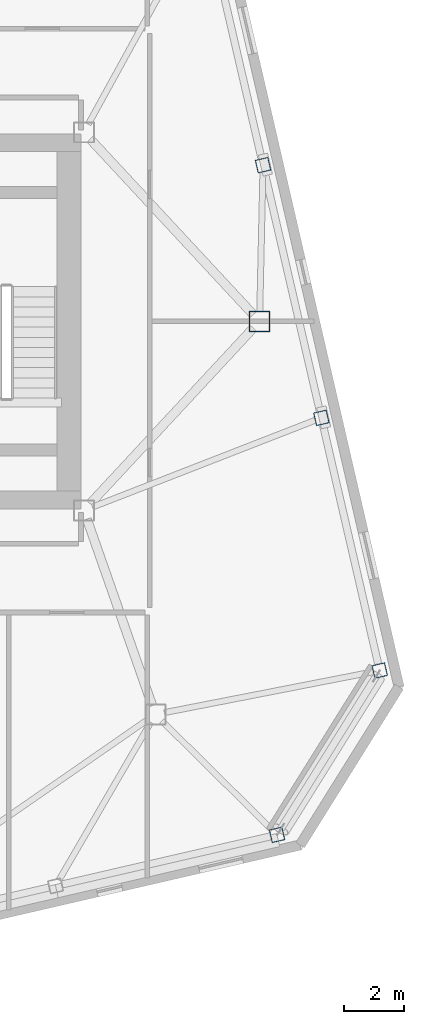
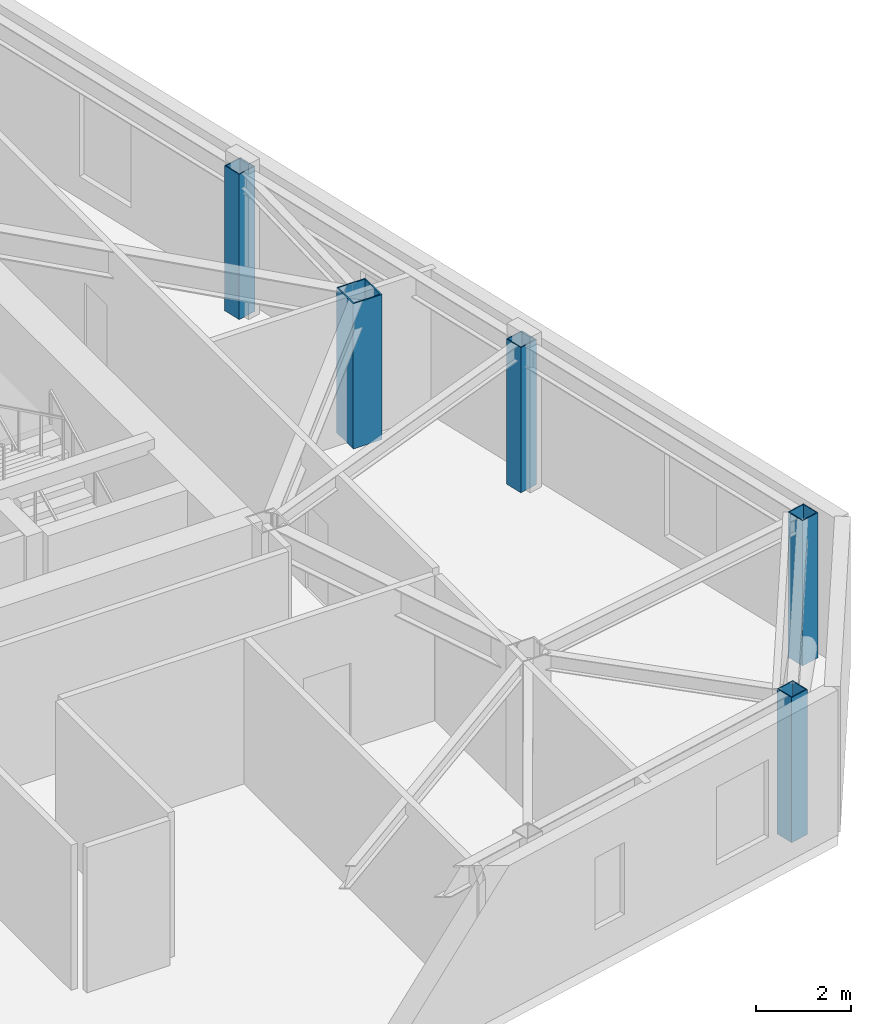
# One storey, part 3 of 23: 5 columns.
"""IFC4 building model written with IfcOpenShell, lengths in metres."""

from ifc_helpers import new_model, si_unit, direction, frame, origin, origin_2d, place, context, subcontext, project, spatial, hollow_rectangle, extrude, material, material_profile, profile_set, type_object, element, save


model = new_model("IFC4")

# Units and contexts
model_context = context("Model", 3, precision=1e-05, world=origin(), true_north=direction((0.0, 1.0)))
body_context = subcontext(model_context, "Body", "Model", "MODEL_VIEW")
ifc_project = project(units=[si_unit("LENGTHUNIT", "METRE"), si_unit("AREAUNIT", "SQUARE_METRE"), si_unit("VOLUMEUNIT", "CUBIC_METRE"), si_unit("PLANEANGLEUNIT", "RADIAN"), si_unit("MASSUNIT", "GRAM", prefix="KILO")], contexts=[model_context])

# Site, building, storey
site_placement = place(None, origin())
site = spatial("IfcSite", under=ifc_project, at=site_placement, CompositionType="ELEMENT")
building_placement = place(site_placement, origin())
building = spatial("IfcBuilding", under=site, at=building_placement, Name="Tavrogorsk Clinical Tower", CompositionType="ELEMENT")
storey_placement = place(building_placement, frame((0.0, 0.0, 289.0)))
storey = spatial("IfcBuildingStorey", under=building, at=storey_placement, Name="L67", CompositionType="ELEMENT", Elevation=289.0)

# Columns
ifc_material_1 = material(Name="Structural steel S440", Category="steel")
ifc_material_profile_1 = material_profile(ifc_material_1, hollow_rectangle(XDim=0.699951171875, YDim=0.699951171875, WallThickness=0.031982421875, at=origin_2d()), Name="BOX-700x700x32")
ifc_profile_set_1 = profile_set([ifc_material_profile_1], Name="Structural steel S440")
column_type_1 = type_object("IfcColumnType", Name="MegaCol_BOX700", PredefinedType="COLUMN", material=ifc_profile_set_1)
column_placement = place(storey_placement, frame((28.0, 0.0, 0.0), z_axis=(0.0, 0.0, 1.0), x_axis=(1.0, 0.0, 0.0)))
element("IfcColumn", 1, at=column_placement, inside=storey, type_object=column_type_1, Name="L67 Spine Pilotis Column MC-P6", PredefinedType="COLUMN", context=body_context, shape_type="SweptSolid", body=[
    extrude(hollow_rectangle(XDim=0.699951171875, YDim=0.699951171875, WallThickness=0.031982421875, at=origin_2d()), origin(), (0.0, 0.0, 1.0), 3.739990234375),
])
ifc_material_2 = material(Name="Structural steel S440", Category="steel")
ifc_material_profile_2 = material_profile(ifc_material_2, hollow_rectangle(XDim=0.449951171875, YDim=0.449951171875, WallThickness=0.02197265625, at=origin_2d()), Name="BOX-450x450x22")
ifc_profile_set_2 = profile_set([ifc_material_profile_2], Name="Structural steel S440")
column_type_2 = type_object("IfcColumnType", Name="PerimCol_B5_BOX450", PredefinedType="COLUMN", material=ifc_profile_set_2)
for number, where, z_axis, x_axis, name in (
    (2, (28.588623046875, -17.244873046875, 0.0), (0.0, 0.0, 1.0), (0.974370064785, 0.224951054344, 0.0), "L67 Perimeter Column S8"),
    (3, (32.035888671875, -11.72802734375, 0.0), (0.0, 0.0, 1.0), (0.974370064785, 0.224951054344, 0.0), "L67 Perimeter Column E1"),
    (4, (30.07666015625, -3.2412109375, 0.0), (0.0, 0.0, 1.0), (0.974370064785, 0.224951054344, 0.0), "L67 Perimeter Column E2"),
    (5, (28.1171875, 5.24560546875, 0.0), (0.0, 0.0, 1.0), (0.974370064785, 0.224951054344, 0.0), "L67 Perimeter Column E3"),
):
    element("IfcColumn", number, at=place(storey_placement, frame(where, z_axis=z_axis, x_axis=x_axis)), inside=storey, type_object=column_type_2, Name=name, PredefinedType="COLUMN", context=body_context, shape_type="SweptSolid", body=[
        extrude(hollow_rectangle(XDim=0.449951171875, YDim=0.449951171875, WallThickness=0.02197265625, at=origin_2d()), origin(), (0.0, 0.0, 1.0), 3.739990234375),
    ])

save(model, "model.ifc")
